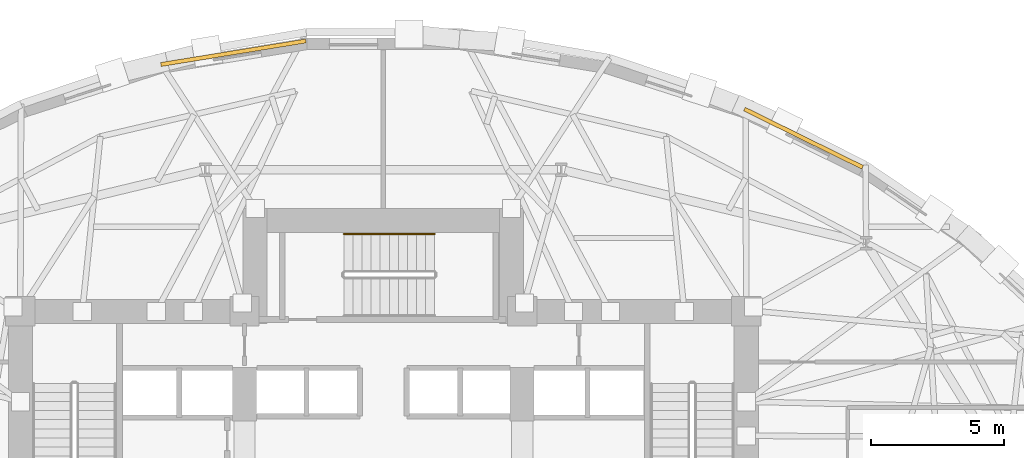
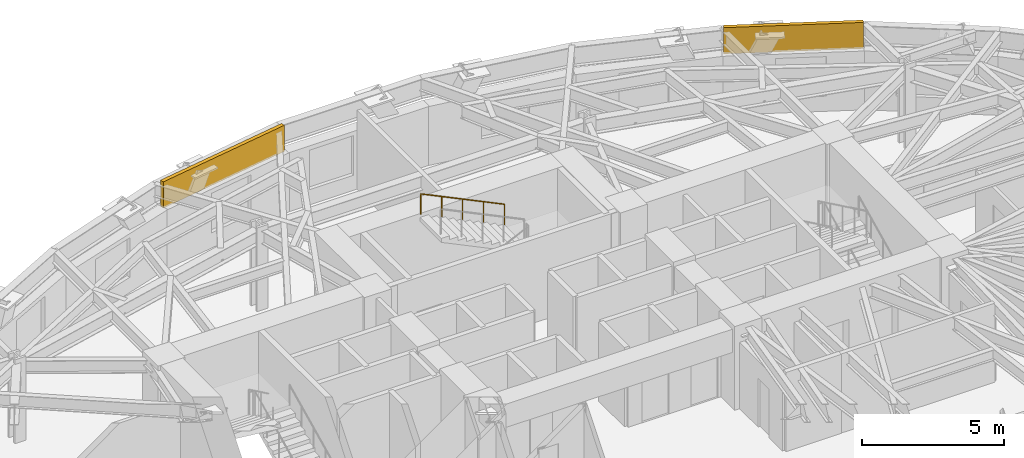
# One storey, part 14 of 14: 2 coverings, 1 railing.
"""IFC4 building model written with IfcOpenShell, lengths in metres."""

from ifc_helpers import new_model, si_unit, direction, frame, origin, origin_2d, place, context, subcontext, project, spatial, rectangle, circle, extrude, material, layer, layer_set, type_object, element, save


model = new_model("IFC4")

# Units and contexts
model_context = context("Model", 3, precision=1e-05, world=origin(), true_north=direction((0.0, 1.0)))
body_context = subcontext(model_context, "Body", "Model", "MODEL_VIEW")
ifc_project = project(units=[si_unit("LENGTHUNIT", "METRE"), si_unit("AREAUNIT", "SQUARE_METRE"), si_unit("VOLUMEUNIT", "CUBIC_METRE"), si_unit("PLANEANGLEUNIT", "RADIAN"), si_unit("MASSUNIT", "GRAM", prefix="KILO")], contexts=[model_context])

# Site, building, storey
site_placement = place(None, origin())
site = spatial("IfcSite", under=ifc_project, at=site_placement, CompositionType="ELEMENT")
building_placement = place(site_placement, origin())
building = spatial("IfcBuilding", under=site, at=building_placement, Name="Keldmark Tower", CompositionType="ELEMENT")
storey_placement = place(building_placement, frame((0.0, 0.0, 59.39990234375)))
storey = spatial("IfcBuildingStorey", under=building, at=storey_placement, Name="L15", CompositionType="ELEMENT", Elevation=59.39990234375)

# Coverings
ifc_material_1 = material(Name="Honed Kasota Buff Dolomitic Limestone", Category="masonry")
ifc_layer = layer(ifc_material_1, 0.074951171875)
ifc_layer_set = layer_set([ifc_layer], Name="Honed Kasota Buff Dolomitic Limestone")
covering_type = type_object("IfcCoveringType", Name="Kasota Buff Limestone Spandrel Cladding Band", PredefinedType="CLADDING", material=ifc_layer_set)
covering_1_placement = place(storey_placement, frame((15.743896484375, 15.9384765625, 2.453125), z_axis=(0.0, 0.0, 1.0), x_axis=(-0.896965354588, 0.442100839932, 0.0)))
element("IfcCovering", 1, at=covering_1_placement, inside=storey, type_object=covering_type, Name="L15 Kasota Limestone Spandrel Band 05", PredefinedType="CLADDING", context=body_context, shape_type="SweptSolid", body=[
    extrude(rectangle(XDim=4.93603515625, YDim=0.14990234375, at=origin_2d()), origin(), (0.0, 0.0, 1.0), 1.126953125),
])
covering_2_placement = place(storey_placement, frame((-5.618896484375, 19.140869140625, 2.453125), z_axis=(0.0, 0.0, 1.0), x_axis=(-0.987058014514, -0.160363574365, 0.0)))
element("IfcCovering", 2, at=covering_2_placement, inside=storey, type_object=covering_type, Name="L15 Kasota Limestone Spandrel Band 09", PredefinedType="CLADDING", context=body_context, shape_type="SweptSolid", body=[
    extrude(rectangle(XDim=5.501953125, YDim=0.14990234375, at=origin_2d()), origin(), (0.0, 0.0, 1.0), 1.126953125),
])

# Railing
ifc_material_2 = material(Name="Stainless Steel AISI 316L", Category="steel")
railing_type = type_object("IfcRailingType", Name="Stainless Steel Stair Handrail 900 mm", PredefinedType="HANDRAIL", material=ifc_material_2)
railing_placement = place(storey_placement, frame((1.925048828125, 12.35009765625, 1.963623046875)))
element("IfcRailing", 3, at=railing_placement, inside=storey, type_object=railing_type, Name="L15 ST3 stair handrail 2", PredefinedType="HANDRAIL", context=body_context, shape_type="SweptSolid", body=[
    extrude(circle(Radius=0.02392578125, at=origin_2d()), frame((0.0, 0.0, 0.8759765625), z_axis=(-0.901067223353, 0.0, 0.433679442675), x_axis=(0.0, -1.0, 0.0)), (0.0, 0.0, 1.0), 3.7734375),
    extrude(circle(Radius=0.02099609375, at=origin_2d()), origin(), (0.0, 0.0, 1.0), 0.851806640625),
    extrude(circle(Radius=0.02099609375, at=origin_2d()), frame((-0.85009765625, 0.0, 0.4091796875)), (0.0, 0.0, 1.0), 0.851806640625),
    extrude(circle(Radius=0.02099609375, at=origin_2d()), frame((-1.7001953125, 0.0, 0.818359375)), (0.0, 0.0, 1.0), 0.851806640625),
    extrude(circle(Radius=0.02099609375, at=origin_2d()), frame((-2.550048828125, 0.0, 1.227294921875)), (0.0, 0.0, 1.0), 0.851806640625),
    extrude(circle(Radius=0.02099609375, at=origin_2d()), frame((-3.400146484375, 0.0, 1.636474609375)), (0.0, 0.0, 1.0), 0.851806640625),
])

save(model, "model.ifc")
